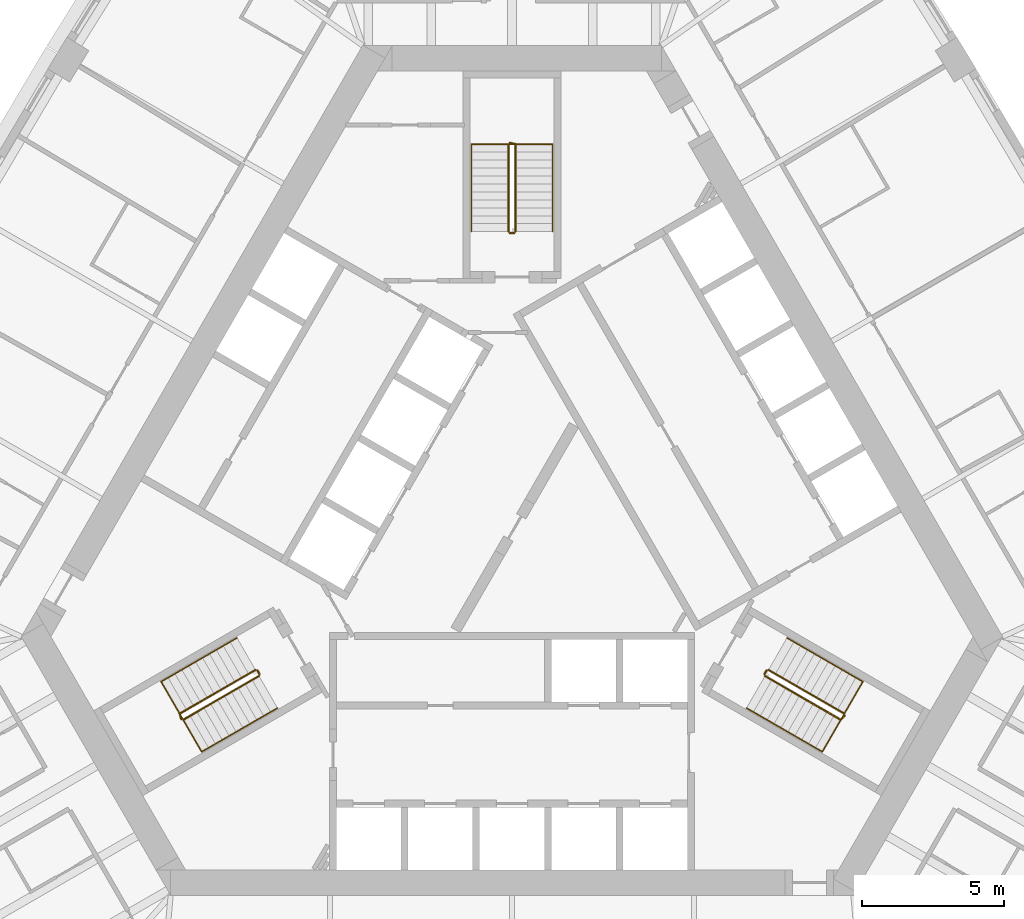
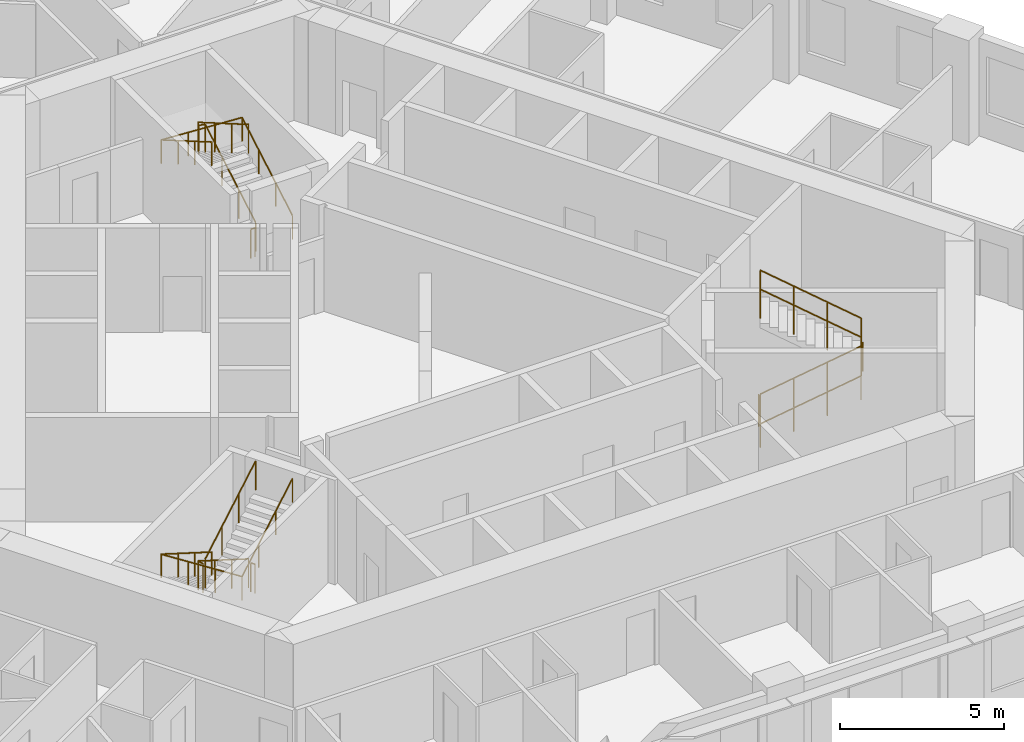
# One storey, part 12 of 12: 12 railings.
"""IFC4 building model written with IfcOpenShell, lengths in metres."""

import ifcopenshell
import ifcopenshell.guid

model = None  # the IFC model being written
_history = None  # IfcOwnerHistory: only IFC2X3 demands one
_inside = {}  # id of a spatial element -> (the spatial element, [elements in it])
_under = {}  # id of a project, library or spatial element -> (it, [spatial elements below it])
_declared = {}  # id of a project -> (the project, [libraries it declares])
_typed = {}  # id of a type object -> (the type object, [elements of that type])
_made_of = {}  # id of a material, layer set ... -> (it, [elements and type objects made of it])


def new_model(schema):
    """Start an empty IFC model of exactly this schema.

    Asked for "IFC4X3", IfcOpenShell would pick the latest addendum, in which some entities
    have other attributes; the version numbers below select the first issue.
    IFC2X3 requires an IfcOwnerHistory on every rooted entity: one is made here for all.
    """
    global model, _history
    if schema == "IFC4X3":
        model = ifcopenshell.file(schema_version=(4, 3, 0, 0))
    else:
        model = ifcopenshell.file(schema=schema)
    _inside.clear()
    _under.clear()
    _declared.clear()
    _typed.clear()
    _made_of.clear()
    _history = None
    if model.schema == "IFC2X3":
        org = make("IfcOrganization", Name="unknown")
        user = make(
            "IfcPersonAndOrganization",
            ThePerson=make("IfcPerson", FamilyName="unknown"),
            TheOrganization=org,
        )
        app = make(
            "IfcApplication",
            ApplicationDeveloper=org,
            Version="unknown",
            ApplicationFullName="unknown",
            ApplicationIdentifier="unknown",
        )
        _history = make(
            "IfcOwnerHistory",
            OwningUser=user,
            OwningApplication=app,
            ChangeAction="ADDED",
            CreationDate=0,
        )
    return model


def make(cls, **values):
    """One entity of the class cls with the attributes given. An attribute that is None is left unset."""
    return model.create_entity(
        cls, **{name: value for name, value in values.items() if value is not None}
    )


def rooted(cls, **values):
    """An entity with a GlobalId (a new one), such as an element, a storey or a relation."""
    return make(cls, GlobalId=ifcopenshell.guid.new(), OwnerHistory=_history, **values)


def si_unit(unit_type, name, prefix=None):
    """IfcSIUnit, for example si_unit("LENGTHUNIT", "METRE", prefix="MILLI")."""
    return make("IfcSIUnit", UnitType=unit_type, Prefix=prefix, Name=name)


def assignment(units):
    """IfcUnitAssignment: the units of a project."""
    return None if units is None else make("IfcUnitAssignment", Units=units)


def point(xyz):
    """IfcCartesianPoint."""
    return None if xyz is None else make("IfcCartesianPoint", Coordinates=xyz)


def direction(xyz):
    """IfcDirection."""
    return None if xyz is None else make("IfcDirection", DirectionRatios=xyz)


def frame(location, z_axis=None, x_axis=None):
    """IfcAxis2Placement3D, a coordinate frame: its origin and axes. An axis left out is left unset."""
    return make(
        "IfcAxis2Placement3D",
        Location=point(location),
        Axis=direction(z_axis),
        RefDirection=direction(x_axis),
    )


def frame_2d(location, x_axis=None):
    """IfcAxis2Placement2D, a coordinate frame in the plane: its origin and x axis."""
    return make(
        "IfcAxis2Placement2D", Location=point(location), RefDirection=direction(x_axis)
    )


def origin():
    """The frame at (0, 0, 0) with its axes left unset."""
    return frame((0.0, 0.0, 0.0))


def origin_2d():
    """The frame at (0, 0) in the plane with its x axis left unset."""
    return frame_2d((0.0, 0.0))


def place(relative_to, where):
    """IfcLocalPlacement: puts the frame where relative to a parent placement (None: the world)."""
    return make(
        "IfcLocalPlacement", PlacementRelTo=relative_to, RelativePlacement=where
    )


def context(
    kind, dimensions, precision=None, world=None, true_north=None, identifier=None
):
    """IfcGeometricRepresentationContext, for example the 3D "Model" context."""
    return make(
        "IfcGeometricRepresentationContext",
        ContextIdentifier=identifier,
        ContextType=kind,
        CoordinateSpaceDimension=dimensions,
        Precision=precision,
        WorldCoordinateSystem=world,
        TrueNorth=true_north,
    )


def subcontext(parent, identifier, kind, view, scale=None):
    """IfcGeometricRepresentationSubContext, for example "Body" below "Model"."""
    return make(
        "IfcGeometricRepresentationSubContext",
        ContextIdentifier=identifier,
        ContextType=kind,
        ParentContext=parent,
        TargetScale=scale,
        TargetView=view,
    )


def project(units=None, contexts=None):
    """IfcProject with its units and contexts."""
    return rooted(
        "IfcProject",
        Name="project",
        RepresentationContexts=contexts,
        UnitsInContext=assignment(units),
    )


def spatial(cls, under=None, at=None, **own):
    """A site, building, storey or space (cls), placed at a placement, below another one or the project."""
    s = rooted(cls, ObjectPlacement=at, **own)
    if under is not None:
        _under.setdefault(under.id(), (under, []))[1].append(s)
    return s


def profile(cls, at=None, kind="AREA", **sizes):
    """A parametric profile (cls). Its sizes go by their IFC names, for example OverallWidth=200.0."""
    return make(cls, ProfileType=kind, Position=at, **sizes)


def circle(**sizes):
    """IfcCircleProfileDef."""
    return profile("IfcCircleProfileDef", **sizes)


def extrude(swept, where, along, depth):
    """IfcExtrudedAreaSolid: the profile swept, set in the frame where, extruded along a direction by depth."""
    return make(
        "IfcExtrudedAreaSolid",
        SweptArea=swept,
        Position=where,
        ExtrudedDirection=direction(along),
        Depth=depth,
    )


def shape(context_of_items, identifier, shape_type, items):
    """IfcShapeRepresentation: the items that make up one representation, for example the "Body"."""
    return make(
        "IfcShapeRepresentation",
        ContextOfItems=context_of_items,
        RepresentationIdentifier=identifier,
        RepresentationType=shape_type,
        Items=items,
    )


def material(Name=None, Category=None):
    """IfcMaterial."""
    return make("IfcMaterial", Name=Name, Category=Category)


def made_of(thing, what):
    """Note that an element or type object is made of a material, layer set ...; save() writes the relation."""
    if what is not None:
        _made_of.setdefault(what.id(), (what, []))[1].append(thing)
    return thing


def type_object(cls, material=None, **own):
    """A type object (cls), such as IfcWallType, which elements share."""
    return made_of(rooted(cls, **own), material)


def element(
    cls,
    number,
    at=None,
    inside=None,
    cuts=None,
    type_object=None,
    material=None,
    context=None,
    identifier="Body",
    shape_type=None,
    held_by="IfcProductDefinitionShape",
    body=None,
    shapes=None,
    **own,
):
    """One element of the class cls, such as IfcWall. Its Tag is "e" and its number.

    at: its placement. inside: the storey or other place that contains it. cuts: it is an
    opening in that element (IfcRelVoidsElement). A single representation is given by context,
    identifier, shape_type and body (its items); several are given by shapes. held_by: the class
    of the entity that holds the representations. save() writes the other relations.
    """
    e = rooted(cls, Tag="e%d" % number, ObjectPlacement=at, **own)
    if body is not None:
        shapes = [shape(context, identifier, shape_type, body)]
    if shapes is not None:
        e.Representation = make(held_by, Representations=shapes)
    if inside is not None:
        _inside.setdefault(inside.id(), (inside, []))[1].append(e)
    if cuts is not None:
        rooted(
            "IfcRelVoidsElement", RelatingBuildingElement=cuts, RelatedOpeningElement=e
        )
    if type_object is not None:
        _typed.setdefault(type_object.id(), (type_object, []))[1].append(e)
    return made_of(e, material)


def aggregate(whole, parts):
    """IfcRelAggregates: a whole, such as a stair, and the parts it consists of."""
    return rooted("IfcRelAggregates", RelatingObject=whole, RelatedObjects=parts)


def save(model, path):
    """Write the relations noted so far, then the file.

    IfcRelAggregates (storeys below a building ...), IfcRelContainedInSpatialStructure (elements
    in a storey), IfcRelDefinesByType, IfcRelAssociatesMaterial and IfcRelDeclares: one each for
    every whole, place, type object, material and project.
    """
    for whole, parts in _under.values():
        aggregate(whole, parts)
    for where, things in _inside.values():
        rooted(
            "IfcRelContainedInSpatialStructure",
            RelatedElements=things,
            RelatingStructure=where,
        )
    for kind, things in _typed.values():
        rooted("IfcRelDefinesByType", RelatedObjects=things, RelatingType=kind)
    for what, things in _made_of.values():
        rooted("IfcRelAssociatesMaterial", RelatedObjects=things, RelatingMaterial=what)
    for by, libraries in _declared.values():
        rooted("IfcRelDeclares", RelatingContext=by, RelatedDefinitions=libraries)
    model.write(path)


model = new_model("IFC4")

# Units and contexts
model_context = context("Model", 3, precision=1e-05, world=origin(), true_north=direction((0.0, 1.0)))
body_context = subcontext(model_context, "Body", "Model", "MODEL_VIEW")
ifc_project = project(units=[si_unit("LENGTHUNIT", "METRE"), si_unit("AREAUNIT", "SQUARE_METRE"), si_unit("VOLUMEUNIT", "CUBIC_METRE"), si_unit("PLANEANGLEUNIT", "RADIAN"), si_unit("MASSUNIT", "GRAM", prefix="KILO")], contexts=[model_context])

# Site, building, storey
site_placement = place(None, origin())
site = spatial("IfcSite", under=ifc_project, at=site_placement, CompositionType="ELEMENT")
building_placement = place(site_placement, origin())
building = spatial("IfcBuilding", under=site, at=building_placement, Name="Mestral Congress Tower", CompositionType="ELEMENT")
storey_placement = place(building_placement, frame((0.0, 0.0, 103.199951171875)))
storey = spatial("IfcBuildingStorey", under=building, at=storey_placement, Name="L24", CompositionType="ELEMENT", Elevation=103.199951171875)

# Railings
ifc_material_1 = material(Name="Steel balustrade", Category="steel")
railing_type_1 = type_object("IfcRailingType", Name="Stair guard 1100", PredefinedType="GUARDRAIL", material=ifc_material_1)
railing_1_placement = place(storey_placement, frame((8.90087890625, -5.283203125, 0.16259765625)))
element("IfcRailing", 1, at=railing_1_placement, inside=storey, type_object=railing_type_1, Name="L24 ST1 stair guard 1", PredefinedType="GUARDRAIL", context=body_context, shape_type="SweptSolid", body=[
    extrude(circle(Radius=0.02392578125, at=origin_2d()), frame((0.0, 0.0, 1.076171875), z_axis=(0.749019742845, -0.432477486304, 0.501928927906), x_axis=(0.500026652407, 0.866010015463, 0.0)), (0.0, 0.0, 1.0), 3.56103515625),
    extrude(circle(Radius=0.02392578125, at=origin_2d()), frame((2.667236328125, -1.5400390625, 2.86328125), z_axis=(0.695164929852, 0.718850276695, 0.0), x_axis=(-0.718850276695, 0.695164929852, 0.0)), (0.0, 0.0, 1.0), 0.2060546875),
    extrude(circle(Radius=0.02099609375, at=origin_2d()), origin(), (0.0, 0.0, 1.0), 1.052001953125),
    extrude(circle(Radius=0.02099609375, at=origin_2d()), frame((0.88916015625, -0.513427734375, 0.595703125)), (0.0, 0.0, 1.0), 1.052001953125),
    extrude(circle(Radius=0.02099609375, at=origin_2d()), frame((1.778076171875, -1.026611328125, 1.191650390625)), (0.0, 0.0, 1.0), 1.052001953125),
    extrude(circle(Radius=0.02099609375, at=origin_2d()), frame((2.667236328125, -1.5400390625, 1.787353515625)), (0.0, 0.0, 1.0), 1.052001953125),
    extrude(circle(Radius=0.02099609375, at=origin_2d()), frame((2.810546875, -1.391845703125, 1.787353515625)), (0.0, 0.0, 1.0), 1.052001953125),
])
railing_2_placement = place(storey_placement, frame((11.693115234375, -6.606689453125, 2.112548828125)))
element("IfcRailing", 2, at=railing_2_placement, inside=storey, type_object=railing_type_1, Name="L24 ST1 stair guard 2", PredefinedType="GUARDRAIL", context=body_context, shape_type="SweptSolid", body=[
    extrude(circle(Radius=0.02392578125, at=origin_2d()), frame((0.0, 0.0, 1.076171875), z_axis=(-0.748993966903, 0.432462603499, 0.501980212875), x_axis=(-0.500026652407, -0.866010015463, 0.0)), (0.0, 0.0, 1.0), 3.56103515625),
    extrude(circle(Radius=0.02099609375, at=origin_2d()), origin(), (0.0, 0.0, 1.0), 1.052001953125),
    extrude(circle(Radius=0.02099609375, at=origin_2d()), frame((-0.88916015625, 0.513427734375, 0.595947265625)), (0.0, 0.0, 1.0), 1.052001953125),
    extrude(circle(Radius=0.02099609375, at=origin_2d()), frame((-1.778076171875, 1.026611328125, 1.191650390625)), (0.0, 0.0, 1.0), 1.052001953125),
    extrude(circle(Radius=0.02099609375, at=origin_2d()), frame((-2.667236328125, 1.5400390625, 1.78759765625)), (0.0, 0.0, 1.0), 1.052001953125),
])
railing_3_placement = place(storey_placement, frame((8.882568359375, -5.21484375, 0.0)))
element("IfcRailing", 3, at=railing_3_placement, inside=storey, type_object=railing_type_1, Name="L24 ST1 stair guard 3", PredefinedType="GUARDRAIL", context=body_context, shape_type="SweptSolid", body=[
    extrude(circle(Radius=0.02392578125, at=origin_2d()), frame((0.0, 0.0, 1.076171875), z_axis=(0.499816412211, 0.866131372301, 0.0), x_axis=(-0.866131372301, 0.499816412211, 0.0)), (0.0, 0.0, 1.0), 0.14990234375),
    extrude(circle(Radius=0.02099609375, at=origin_2d()), origin(), (0.0, 0.0, 1.0), 1.052001953125),
    extrude(circle(Radius=0.02099609375, at=origin_2d()), frame((0.074951171875, 0.1298828125, 0.0)), (0.0, 0.0, 1.0), 1.052001953125),
])
railing_4_placement = place(storey_placement, frame((0.125, 10.35009765625, 0.16259765625)))
element("IfcRailing", 4, at=railing_4_placement, inside=storey, type_object=railing_type_1, Name="L24 ST2 stair guard 1", PredefinedType="GUARDRAIL", context=body_context, shape_type="SweptSolid", body=[
    extrude(circle(Radius=0.02392578125, at=origin_2d()), frame((0.0, 0.0, 1.076171875), z_axis=(0.0, 0.864903211148, 0.501938676878), x_axis=(-1.0, 0.0, 0.0)), (0.0, 0.0, 1.0), 3.560791015625),
    extrude(circle(Radius=0.02392578125, at=origin_2d()), frame((0.0, 3.079833984375, 2.86328125), z_axis=(-0.970072785993, 0.242814311512, 0.0), x_axis=(-0.242814311512, -0.970072785993, 0.0)), (0.0, 0.0, 1.0), 0.2060546875),
    extrude(circle(Radius=0.02099609375, at=origin_2d()), origin(), (0.0, 0.0, 1.0), 1.052001953125),
    extrude(circle(Radius=0.02099609375, at=origin_2d()), frame((0.0, 1.026611328125, 0.595703125)), (0.0, 0.0, 1.0), 1.052001953125),
    extrude(circle(Radius=0.02099609375, at=origin_2d()), frame((0.0, 2.05322265625, 1.191650390625)), (0.0, 0.0, 1.0), 1.052001953125),
    extrude(circle(Radius=0.02099609375, at=origin_2d()), frame((0.0, 3.079833984375, 1.787353515625)), (0.0, 0.0, 1.0), 1.052001953125),
    extrude(circle(Radius=0.02099609375, at=origin_2d()), frame((-0.199951171875, 3.1298828125, 1.787353515625)), (0.0, 0.0, 1.0), 1.052001953125),
])
railing_5_placement = place(storey_placement, frame((-0.125, 13.429931640625, 2.112548828125)))
element("IfcRailing", 5, at=railing_5_placement, inside=storey, type_object=railing_type_1, Name="L24 ST2 stair guard 2", PredefinedType="GUARDRAIL", context=body_context, shape_type="SweptSolid", body=[
    extrude(circle(Radius=0.02392578125, at=origin_2d()), frame((0.0, 0.0, 1.076171875), z_axis=(0.0, -0.864873446163, 0.501989962173), x_axis=(1.0, 0.0, 0.0)), (0.0, 0.0, 1.0), 3.56103515625),
    extrude(circle(Radius=0.02099609375, at=origin_2d()), origin(), (0.0, 0.0, 1.0), 1.052001953125),
    extrude(circle(Radius=0.02099609375, at=origin_2d()), frame((0.0, -1.026611328125, 0.595947265625)), (0.0, 0.0, 1.0), 1.052001953125),
    extrude(circle(Radius=0.02099609375, at=origin_2d()), frame((0.0, -2.05322265625, 1.191650390625)), (0.0, 0.0, 1.0), 1.052001953125),
    extrude(circle(Radius=0.02099609375, at=origin_2d()), frame((0.0, -3.079833984375, 1.78759765625)), (0.0, 0.0, 1.0), 1.052001953125),
])
railing_6_placement = place(storey_placement, frame((0.074951171875, 10.300048828125, 0.0)))
element("IfcRailing", 6, at=railing_6_placement, inside=storey, type_object=railing_type_1, Name="L24 ST2 stair guard 3", PredefinedType="GUARDRAIL", context=body_context, shape_type="SweptSolid", body=[
    extrude(circle(Radius=0.02392578125, at=origin_2d()), frame((0.0, 0.0, 1.076171875), z_axis=(-1.0, 0.0, 0.0), x_axis=(0.0, -1.0, 0.0)), (0.0, 0.0, 1.0), 0.14990234375),
    extrude(circle(Radius=0.02099609375, at=origin_2d()), origin(), (0.0, 0.0, 1.0), 1.052001953125),
    extrude(circle(Radius=0.02099609375, at=origin_2d()), frame((-0.14990234375, 0.0, 0.0)), (0.0, 0.0, 1.0), 1.052001953125),
])
railing_7_placement = place(storey_placement, frame((-9.02587890625, -5.066650390625, 0.16259765625)))
element("IfcRailing", 7, at=railing_7_placement, inside=storey, type_object=railing_type_1, Name="L24 ST3 stair guard 1", PredefinedType="GUARDRAIL", context=body_context, shape_type="SweptSolid", body=[
    extrude(circle(Radius=0.02392578125, at=origin_2d()), frame((0.0, 0.0, 1.076171875), z_axis=(-0.749019742845, -0.432477486304, 0.501928927906), x_axis=(0.500026652407, -0.866010015463, 0.0)), (0.0, 0.0, 1.0), 3.56103515625),
    extrude(circle(Radius=0.02392578125, at=origin_2d()), frame((-2.667236328125, -1.5400390625, 2.86328125), z_axis=(0.274721127897, -0.961523947641, 0.0), x_axis=(0.961523947641, 0.274721127897, 0.0)), (0.0, 0.0, 1.0), 0.2060546875),
    extrude(circle(Radius=0.02099609375, at=origin_2d()), origin(), (0.0, 0.0, 1.0), 1.052001953125),
    extrude(circle(Radius=0.02099609375, at=origin_2d()), frame((-0.88916015625, -0.513427734375, 0.595703125)), (0.0, 0.0, 1.0), 1.052001953125),
    extrude(circle(Radius=0.02099609375, at=origin_2d()), frame((-1.778076171875, -1.026611328125, 1.191650390625)), (0.0, 0.0, 1.0), 1.052001953125),
    extrude(circle(Radius=0.02099609375, at=origin_2d()), frame((-2.667236328125, -1.5400390625, 1.787353515625)), (0.0, 0.0, 1.0), 1.052001953125),
    extrude(circle(Radius=0.02099609375, at=origin_2d()), frame((-2.610595703125, -1.73828125, 1.787353515625)), (0.0, 0.0, 1.0), 1.052001953125),
])
railing_8_placement = place(storey_placement, frame((-11.568115234375, -6.8232421875, 2.112548828125)))
element("IfcRailing", 8, at=railing_8_placement, inside=storey, type_object=railing_type_1, Name="L24 ST3 stair guard 2", PredefinedType="GUARDRAIL", context=body_context, shape_type="SweptSolid", body=[
    extrude(circle(Radius=0.02392578125, at=origin_2d()), frame((0.0, 0.0, 1.076171875), z_axis=(0.748993966903, 0.432462603499, 0.501980212875), x_axis=(-0.500026652407, 0.866010015463, 0.0)), (0.0, 0.0, 1.0), 3.56103515625),
    extrude(circle(Radius=0.02099609375, at=origin_2d()), origin(), (0.0, 0.0, 1.0), 1.052001953125),
    extrude(circle(Radius=0.02099609375, at=origin_2d()), frame((0.88916015625, 0.513427734375, 0.595947265625)), (0.0, 0.0, 1.0), 1.052001953125),
    extrude(circle(Radius=0.02099609375, at=origin_2d()), frame((1.778076171875, 1.026611328125, 1.191650390625)), (0.0, 0.0, 1.0), 1.052001953125),
    extrude(circle(Radius=0.02099609375, at=origin_2d()), frame((2.667236328125, 1.5400390625, 1.78759765625)), (0.0, 0.0, 1.0), 1.052001953125),
])
railing_9_placement = place(storey_placement, frame((-8.95751953125, -5.0849609375, 0.0)))
element("IfcRailing", 9, at=railing_9_placement, inside=storey, type_object=railing_type_1, Name="L24 ST3 stair guard 3", PredefinedType="GUARDRAIL", context=body_context, shape_type="SweptSolid", body=[
    extrude(circle(Radius=0.02392578125, at=origin_2d()), frame((0.0, 0.0, 1.076171875), z_axis=(0.499816412211, -0.866131372301, 0.0), x_axis=(0.866131372301, 0.499816412211, 0.0)), (0.0, 0.0, 1.0), 0.14990234375),
    extrude(circle(Radius=0.02099609375, at=origin_2d()), origin(), (0.0, 0.0, 1.0), 1.052001953125),
    extrude(circle(Radius=0.02099609375, at=origin_2d()), frame((0.074951171875, -0.1298828125, 0.0)), (0.0, 0.0, 1.0), 1.052001953125),
])
ifc_material_2 = material(Name="Steel handrail", Category="steel")
railing_type_2 = type_object("IfcRailingType", Name="Stair handrail 900", PredefinedType="HANDRAIL", material=ifc_material_2)
railing_10_placement = place(storey_placement, frame((8.2509765625, -6.4091796875, 0.16259765625)))
element("IfcRailing", 10, at=railing_10_placement, inside=storey, type_object=railing_type_2, Name="L24 ST1 stair handrail 1", PredefinedType="HANDRAIL", context=body_context, shape_type="SweptSolid", body=[
    extrude(circle(Radius=0.02392578125, at=origin_2d()), frame((0.0, 0.0, 0.8759765625), z_axis=(0.749041951051, -0.432421746936, 0.501943809945), x_axis=(0.499967199496, 0.866044340336, 0.0)), (0.0, 0.0, 1.0), 3.560791015625),
    extrude(circle(Radius=0.02392578125, at=origin_2d()), frame((2.667236328125, -1.539794921875, 2.6630859375), z_axis=(0.499224505807, 0.864598343191, 0.056961370716), x_axis=(-0.866004402611, 0.500036373335, 0.0)), (0.0, 0.0, 1.0), 2.8544921875),
    extrude(circle(Radius=0.02392578125, at=origin_2d()), frame((4.09228515625, 0.92822265625, 2.82568359375), z_axis=(-0.74902406201, 0.432440397507, 0.501954437309), x_axis=(-0.499992328818, -0.866029832698, 0.0)), (0.0, 0.0, 1.0), 3.561279296875),
    extrude(circle(Radius=0.02099609375, at=origin_2d()), origin(), (0.0, 0.0, 1.0), 0.851806640625),
    extrude(circle(Radius=0.02099609375, at=origin_2d()), frame((0.88916015625, -0.51318359375, 0.595703125)), (0.0, 0.0, 1.0), 0.851806640625),
    extrude(circle(Radius=0.02099609375, at=origin_2d()), frame((1.778076171875, -1.026611328125, 1.191650390625)), (0.0, 0.0, 1.0), 0.851806640625),
    extrude(circle(Radius=0.02099609375, at=origin_2d()), frame((2.667236328125, -1.539794921875, 1.787353515625)), (0.0, 0.0, 1.0), 0.851806640625),
    extrude(circle(Radius=0.02099609375, at=origin_2d()), frame((3.142333984375, -0.717041015625, 1.841552734375)), (0.0, 0.0, 1.0), 0.851806640625),
    extrude(circle(Radius=0.02099609375, at=origin_2d()), frame((3.6171875, 0.10546875, 1.895751953125)), (0.0, 0.0, 1.0), 0.851806640625),
    extrude(circle(Radius=0.02099609375, at=origin_2d()), frame((4.09228515625, 0.92822265625, 1.949951171875)), (0.0, 0.0, 1.0), 0.851806640625),
    extrude(circle(Radius=0.02099609375, at=origin_2d()), frame((3.203125, 1.441650390625, 2.5458984375)), (0.0, 0.0, 1.0), 0.851806640625),
    extrude(circle(Radius=0.02099609375, at=origin_2d()), frame((2.31396484375, 1.954833984375, 3.1416015625)), (0.0, 0.0, 1.0), 0.851806640625),
    extrude(circle(Radius=0.02099609375, at=origin_2d()), frame((1.4248046875, 2.46826171875, 3.737548828125)), (0.0, 0.0, 1.0), 0.851806640625),
])
railing_11_placement = place(storey_placement, frame((1.425048828125, 10.35009765625, 0.16259765625)))
element("IfcRailing", 11, at=railing_11_placement, inside=storey, type_object=railing_type_2, Name="L24 ST2 stair handrail 1", PredefinedType="HANDRAIL", context=body_context, shape_type="SweptSolid", body=[
    extrude(circle(Radius=0.02392578125, at=origin_2d()), frame((0.0, 0.0, 0.8759765625), z_axis=(0.0, 0.864903211148, 0.501938676878), x_axis=(-1.0, 0.0, 0.0)), (0.0, 0.0, 1.0), 3.560791015625),
    extrude(circle(Radius=0.02392578125, at=origin_2d()), frame((0.0, 3.079833984375, 2.6630859375), z_axis=(-0.998376618682, 0.0, 0.056957240709), x_axis=(0.0, -1.0, 0.0)), (0.0, 0.0, 1.0), 2.854736328125),
    extrude(circle(Radius=0.02392578125, at=origin_2d()), frame((-2.85009765625, 3.079833984375, 2.82568359375), z_axis=(0.0, -0.864873446163, 0.501989962173), x_axis=(1.0, 0.0, 0.0)), (0.0, 0.0, 1.0), 3.56103515625),
    extrude(circle(Radius=0.02099609375, at=origin_2d()), origin(), (0.0, 0.0, 1.0), 0.851806640625),
    extrude(circle(Radius=0.02099609375, at=origin_2d()), frame((0.0, 1.026611328125, 0.595703125)), (0.0, 0.0, 1.0), 0.851806640625),
    extrude(circle(Radius=0.02099609375, at=origin_2d()), frame((0.0, 2.05322265625, 1.191650390625)), (0.0, 0.0, 1.0), 0.851806640625),
    extrude(circle(Radius=0.02099609375, at=origin_2d()), frame((0.0, 3.079833984375, 1.787353515625)), (0.0, 0.0, 1.0), 0.851806640625),
    extrude(circle(Radius=0.02099609375, at=origin_2d()), frame((-0.949951171875, 3.079833984375, 1.841552734375)), (0.0, 0.0, 1.0), 0.851806640625),
    extrude(circle(Radius=0.02099609375, at=origin_2d()), frame((-1.900146484375, 3.079833984375, 1.895751953125)), (0.0, 0.0, 1.0), 0.851806640625),
    extrude(circle(Radius=0.02099609375, at=origin_2d()), frame((-2.85009765625, 3.079833984375, 1.949951171875)), (0.0, 0.0, 1.0), 0.851806640625),
    extrude(circle(Radius=0.02099609375, at=origin_2d()), frame((-2.85009765625, 2.05322265625, 2.5458984375)), (0.0, 0.0, 1.0), 0.851806640625),
    extrude(circle(Radius=0.02099609375, at=origin_2d()), frame((-2.85009765625, 1.026611328125, 3.1416015625)), (0.0, 0.0, 1.0), 0.851806640625),
    extrude(circle(Radius=0.02099609375, at=origin_2d()), frame((-2.85009765625, 0.0, 3.737548828125)), (0.0, 0.0, 1.0), 0.851806640625),
])
railing_12_placement = place(storey_placement, frame((-9.67578125, -3.94091796875, 0.16259765625)))
element("IfcRailing", 12, at=railing_12_placement, inside=storey, type_object=railing_type_2, Name="L24 ST3 stair handrail 1", PredefinedType="HANDRAIL", context=body_context, shape_type="SweptSolid", body=[
    extrude(circle(Radius=0.02392578125, at=origin_2d()), frame((0.0, 0.0, 0.8759765625), z_axis=(-0.749049836341, -0.432455278019, 0.501903153199), x_axis=(0.499992328818, -0.866029832698, 0.0)), (0.0, 0.0, 1.0), 3.56103515625),
    extrude(circle(Radius=0.02392578125, at=origin_2d()), frame((-2.66748046875, -1.5400390625, 2.6630859375), z_axis=(0.499224505807, -0.864598343191, 0.056961370716), x_axis=(0.866004402611, 0.500036373335, 0.0)), (0.0, 0.0, 1.0), 2.8544921875),
    extrude(circle(Radius=0.02392578125, at=origin_2d()), frame((-1.242431640625, -4.008056640625, 2.82568359375), z_axis=(0.749016172816, 0.432406865167, 0.50199509541), x_axis=(-0.499967199496, 0.866044340336, 0.0)), (0.0, 0.0, 1.0), 3.56103515625),
    extrude(circle(Radius=0.02099609375, at=origin_2d()), origin(), (0.0, 0.0, 1.0), 0.851806640625),
    extrude(circle(Radius=0.02099609375, at=origin_2d()), frame((-0.88916015625, -0.513427734375, 0.595703125)), (0.0, 0.0, 1.0), 0.851806640625),
    extrude(circle(Radius=0.02099609375, at=origin_2d()), frame((-1.7783203125, -1.026611328125, 1.191650390625)), (0.0, 0.0, 1.0), 0.851806640625),
    extrude(circle(Radius=0.02099609375, at=origin_2d()), frame((-2.66748046875, -1.5400390625, 1.787353515625)), (0.0, 0.0, 1.0), 0.851806640625),
    extrude(circle(Radius=0.02099609375, at=origin_2d()), frame((-2.1923828125, -2.36279296875, 1.841552734375)), (0.0, 0.0, 1.0), 0.851806640625),
    extrude(circle(Radius=0.02099609375, at=origin_2d()), frame((-1.717529296875, -3.185302734375, 1.895751953125)), (0.0, 0.0, 1.0), 0.851806640625),
    extrude(circle(Radius=0.02099609375, at=origin_2d()), frame((-1.242431640625, -4.008056640625, 1.949951171875)), (0.0, 0.0, 1.0), 0.851806640625),
    extrude(circle(Radius=0.02099609375, at=origin_2d()), frame((-0.353271484375, -3.494873046875, 2.5458984375)), (0.0, 0.0, 1.0), 0.851806640625),
    extrude(circle(Radius=0.02099609375, at=origin_2d()), frame((0.53564453125, -2.9814453125, 3.1416015625)), (0.0, 0.0, 1.0), 0.851806640625),
    extrude(circle(Radius=0.02099609375, at=origin_2d()), frame((1.4248046875, -2.46826171875, 3.737548828125)), (0.0, 0.0, 1.0), 0.851806640625),
])

save(model, "model.ifc")
